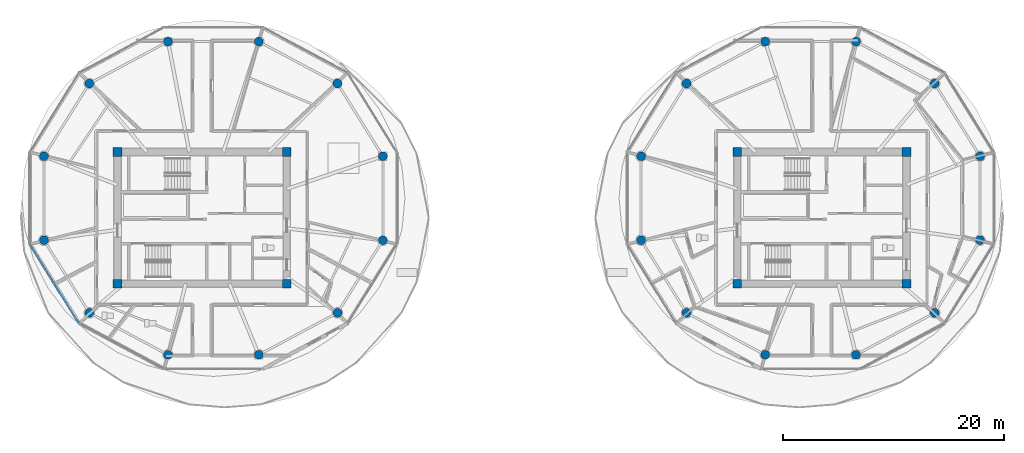
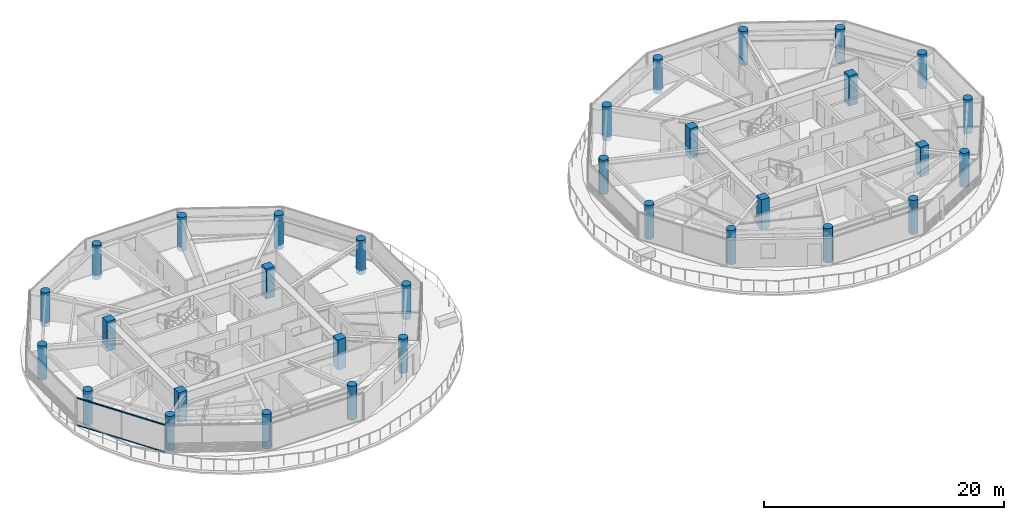
# One storey, part 1 of 28: 32 columns, 2 members, 1 element without a shape of its own.
"""IFC4 building model written with IfcOpenShell, lengths in metres."""

from ifc_helpers import new_model, si_unit, direction, frame, origin, origin_2d, place, context, subcontext, project, spatial, rectangle, circle, extrude, source, transform, mapped, material, layer, layer_set, material_profile, profile_set, type_object, type_shapes, element, aggregate, save


model = new_model("IFC4")

# Units and contexts
model_context = context("Model", 3, precision=1e-05, world=origin(), true_north=direction((0.0, 1.0)))
body_context = subcontext(model_context, "Body", "Model", "MODEL_VIEW")
ifc_project = project(units=[si_unit("LENGTHUNIT", "METRE"), si_unit("AREAUNIT", "SQUARE_METRE"), si_unit("VOLUMEUNIT", "CUBIC_METRE"), si_unit("PLANEANGLEUNIT", "RADIAN"), si_unit("MASSUNIT", "GRAM", prefix="KILO")], contexts=[model_context])

# Site, building, storey
site_placement = place(None, origin())
site = spatial("IfcSite", under=ifc_project, at=site_placement, CompositionType="ELEMENT")
building_placement = place(site_placement, origin())
building = spatial("IfcBuilding", under=site, at=building_placement, Name="Norrkilde Senior Care Towers", CompositionType="ELEMENT")
storey_placement = place(building_placement, frame((0.0, 0.0, 134.300048828125)))
storey = spatial("IfcBuildingStorey", under=building, at=storey_placement, Name="L41", CompositionType="ELEMENT", Elevation=134.300048828125)

# Columns
ifc_material_1 = material(Name="Concrete C60/75", Category="concrete")
ifc_material_profile_1 = material_profile(ifc_material_1, rectangle(XDim=0.800048828125, YDim=0.800048828125, at=origin_2d()), Name="RC COL 800x800")
ifc_profile_set_1 = profile_set([ifc_material_profile_1], Name="Concrete C60/75")
column_type_1 = type_object("IfcColumnType", Name="Column Core Corner Z3-Z4 800", PredefinedType="COLUMN", material=ifc_profile_set_1)
shared_shape_1 = source(origin(), body_context, "Body", "SweptSolid", [
    extrude(rectangle(XDim=0.800048828125, YDim=0.800048828125, at=origin_2d()), origin(), (0.0, 0.0, 1.0), 3.050048828125),
])
type_shapes(column_type_1, [shared_shape_1])
for number, where, z_axis, x_axis, name in (
    (1, (-35.64990234375, -5.949951171875, 0.0), (0.0, 0.0, 1.0), (1.0, 0.0, 0.0), "L41 Core W Corner Column 1"),
    (2, (-20.35009765625, -5.949951171875, 0.0), (0.0, 0.0, 1.0), (1.0, 0.0, 0.0), "L41 Core W Corner Column 2"),
    (3, (-20.35009765625, 5.949951171875, 0.0), (0.0, 0.0, 1.0), (1.0, 0.0, 0.0), "L41 Core W Corner Column 3"),
    (4, (-35.64990234375, 5.949951171875, 0.0), (0.0, 0.0, 1.0), (1.0, 0.0, 0.0), "L41 Core W Corner Column 4"),
    (5, (20.35009765625, -5.949951171875, 0.0), (0.0, 0.0, 1.0), (1.0, 0.0, 0.0), "L41 Core E Corner Column 1"),
    (6, (35.64990234375, -5.949951171875, 0.0), (0.0, 0.0, 1.0), (1.0, 0.0, 0.0), "L41 Core E Corner Column 2"),
    (7, (35.64990234375, 5.949951171875, 0.0), (0.0, 0.0, 1.0), (1.0, 0.0, 0.0), "L41 Core E Corner Column 3"),
    (8, (20.35009765625, 5.949951171875, 0.0), (0.0, 0.0, 1.0), (1.0, 0.0, 0.0), "L41 Core E Corner Column 4"),
):
    element("IfcColumn", number, at=place(storey_placement, frame(where, z_axis=z_axis, x_axis=x_axis)), inside=storey, type_object=column_type_1, Name=name, PredefinedType="COLUMN", context=body_context, shape_type="MappedRepresentation", body=[
        mapped(shared_shape_1, transform((0.0, 0.0, 0.0), x_axis=(1.0, 0.0, 0.0), y_axis=(0.0, 1.0, 0.0), z_axis=(0.0, 0.0, 1.0), scale=1.0)),
    ])
ifc_material_2 = material(Name="Concrete C50/60", Category="concrete")
ifc_material_profile_2 = material_profile(ifc_material_2, circle(Radius=0.39990234375, at=origin_2d()), Name="RC CIR 800")
ifc_profile_set_2 = profile_set([ifc_material_profile_2], Name="Concrete C50/60")
column_type_2 = type_object("IfcColumnType", Name="Column Perimeter Z3 800", PredefinedType="COLUMN", material=ifc_profile_set_2)
shared_shape_2 = source(origin(), body_context, "Body", "SweptSolid", [
    extrude(circle(Radius=0.39990234375, at=origin_2d()), origin(), (0.0, 0.0, 1.0), 3.47021484375),
])
type_shapes(column_type_2, [shared_shape_2])
for number, where, z_axis, x_axis, name in (
    (9, (-11.6650390625, 5.567138671875, -0.420166015625), (0.0, 0.0, 1.0), (1.0, 0.0, 0.0), "L41 Drum W Perimeter Column 01"),
    (10, (-15.767333984375, 12.134521484375, -0.420166015625), (0.0, 0.0, 1.0), (1.0, 0.0, 0.0), "L41 Drum W Perimeter Column 02"),
    (11, (-22.872802734375, 15.92626953125, -0.420166015625), (0.0, 0.0, 1.0), (1.0, 0.0, 0.0), "L41 Drum W Perimeter Column 03"),
    (12, (-31.077392578125, 15.92626953125, -0.420166015625), (0.0, 0.0, 1.0), (1.0, 0.0, 0.0), "L41 Drum W Perimeter Column 04"),
    (13, (-38.1826171875, 12.134521484375, -0.420166015625), (0.0, 0.0, 1.0), (1.0, 0.0, 0.0), "L41 Drum W Perimeter Column 05"),
    (14, (-42.284912109375, 5.567138671875, -0.420166015625), (0.0, 0.0, 1.0), (1.0, 0.0, 0.0), "L41 Drum W Perimeter Column 06"),
    (15, (-42.284912109375, -2.016357421875, -0.420166015625), (0.0, 0.0, 1.0), (1.0, 0.0, 0.0), "L41 Drum W Perimeter Column 07"),
    (16, (-38.1826171875, -8.583740234375, -0.420166015625), (0.0, 0.0, 1.0), (1.0, 0.0, 0.0), "L41 Drum W Perimeter Column 08"),
    (17, (-31.077392578125, -12.37548828125, -0.420166015625), (0.0, 0.0, 1.0), (1.0, 0.0, 0.0), "L41 Drum W Perimeter Column 09"),
    (18, (-22.872802734375, -12.37548828125, -0.420166015625), (0.0, 0.0, 1.0), (1.0, 0.0, 0.0), "L41 Drum W Perimeter Column 10"),
    (19, (-15.767333984375, -8.583740234375, -0.420166015625), (0.0, 0.0, 1.0), (1.0, 0.0, 0.0), "L41 Drum W Perimeter Column 11"),
    (20, (-11.6650390625, -2.016357421875, -0.420166015625), (0.0, 0.0, 1.0), (1.0, 0.0, 0.0), "L41 Drum W Perimeter Column 12"),
    (21, (42.284912109375, 5.567138671875, -0.420166015625), (0.0, 0.0, 1.0), (1.0, 0.0, 0.0), "L41 Drum E Perimeter Column 01"),
    (22, (38.1826171875, 12.134521484375, -0.420166015625), (0.0, 0.0, 1.0), (1.0, 0.0, 0.0), "L41 Drum E Perimeter Column 02"),
    (23, (31.077392578125, 15.92626953125, -0.420166015625), (0.0, 0.0, 1.0), (1.0, 0.0, 0.0), "L41 Drum E Perimeter Column 03"),
    (24, (22.872802734375, 15.92626953125, -0.420166015625), (0.0, 0.0, 1.0), (1.0, 0.0, 0.0), "L41 Drum E Perimeter Column 04"),
    (25, (15.767333984375, 12.134521484375, -0.420166015625), (0.0, 0.0, 1.0), (1.0, 0.0, 0.0), "L41 Drum E Perimeter Column 05"),
    (26, (11.6650390625, 5.567138671875, -0.420166015625), (0.0, 0.0, 1.0), (1.0, 0.0, 0.0), "L41 Drum E Perimeter Column 06"),
    (27, (11.6650390625, -2.016357421875, -0.420166015625), (0.0, 0.0, 1.0), (1.0, 0.0, 0.0), "L41 Drum E Perimeter Column 07"),
    (28, (15.767333984375, -8.583740234375, -0.420166015625), (0.0, 0.0, 1.0), (1.0, 0.0, 0.0), "L41 Drum E Perimeter Column 08"),
    (29, (22.872802734375, -12.37548828125, -0.420166015625), (0.0, 0.0, 1.0), (1.0, 0.0, 0.0), "L41 Drum E Perimeter Column 09"),
    (30, (31.077392578125, -12.37548828125, -0.420166015625), (0.0, 0.0, 1.0), (1.0, 0.0, 0.0), "L41 Drum E Perimeter Column 10"),
    (31, (38.1826171875, -8.583740234375, -0.420166015625), (0.0, 0.0, 1.0), (1.0, 0.0, 0.0), "L41 Drum E Perimeter Column 11"),
    (32, (42.284912109375, -2.016357421875, -0.420166015625), (0.0, 0.0, 1.0), (1.0, 0.0, 0.0), "L41 Drum E Perimeter Column 12"),
):
    element("IfcColumn", number, at=place(storey_placement, frame(where, z_axis=z_axis, x_axis=x_axis)), inside=storey, type_object=column_type_2, Name=name, PredefinedType="COLUMN", context=body_context, shape_type="MappedRepresentation", body=[
        mapped(shared_shape_2, transform((0.0, 0.0, 0.0), x_axis=(1.0, 0.0, 0.0), y_axis=(0.0, 1.0, 0.0), z_axis=(0.0, 0.0, 1.0), scale=1.0)),
    ])

# Curtain wall, members
ifc_material_3 = material(Name="Triple Low-E Insulated Glazing", Category="glass")
ifc_layer = layer(ifc_material_3, 0.18994140625)
ifc_layer_set = layer_set([ifc_layer], Name="Triple Low-E Insulated Glazing")
curtain_wall_type = type_object("IfcCurtainWallType", Name="CW4 Zone 3 Senior Residence Curtain Wall", PredefinedType="NOTDEFINED", material=ifc_layer_set)
curtain_wall_placement = place(storey_placement, origin())
curtain_wall = element("IfcCurtainWall", 33, at=curtain_wall_placement, inside=storey, type_object=curtain_wall_type, Name="L41 Drum W Curtain Wall 06", PredefinedType="NOTDEFINED")
ifc_material_4 = material(Name="Anodised Aluminium", Category="aluminium")
ifc_material_profile_3 = material_profile(ifc_material_4, rectangle(XDim=0.06005859375, YDim=0.1201171875, at=origin_2d()), Name="ALU TRAN 60x120")
ifc_profile_set_3 = profile_set([ifc_material_profile_3], Name="Anodised Aluminium")
member_type = type_object("IfcMemberType", Name="Curtain Wall Transom Typical 60x120", PredefinedType="USERDEFINED", material=ifc_profile_set_3)
shared_shape_3 = source(origin(), body_context, "Body", "SweptSolid", [
    extrude(rectangle(XDim=0.06005859375, YDim=0.1201171875, at=origin_2d()), origin(), (0.0, 0.0, 1.0), 8.301513671875),
])
type_shapes(member_type, [shared_shape_3])
member_1_placement = place(storey_placement, frame((-39.157470703125, -9.468994140625, 0.030029296875), z_axis=(-0.527368718394, 0.849636531029, 0.0), x_axis=(-0.849636531029, -0.527368718394, 0.0)))
member_1 = element("IfcMember", 34, at=member_1_placement, type_object=member_type, Name="CW-4 transom 1.1", ObjectType="TRANSOM", PredefinedType="USERDEFINED", context=body_context, shape_type="MappedRepresentation", body=[
    mapped(shared_shape_3, transform((0.0, 0.0, 0.0), x_axis=(1.0, 0.0, 0.0), y_axis=(0.0, 1.0, 0.0), z_axis=(0.0, 0.0, 1.0), scale=1.0)),
])
member_2_placement = place(storey_placement, frame((-39.157470703125, -9.468994140625, 2.780029296875), z_axis=(-0.527368718394, 0.849636531029, 0.0), x_axis=(-0.849636531029, -0.527368718394, 0.0)))
member_2 = element("IfcMember", 35, at=member_2_placement, type_object=member_type, Name="CW-4 transom 1.2", ObjectType="TRANSOM", PredefinedType="USERDEFINED", context=body_context, shape_type="MappedRepresentation", body=[
    mapped(shared_shape_3, transform((0.0, 0.0, 0.0), x_axis=(1.0, 0.0, 0.0), y_axis=(0.0, 1.0, 0.0), z_axis=(0.0, 0.0, 1.0), scale=1.0)),
])
aggregate(curtain_wall, [member_1, member_2])

save(model, "model.ifc")
